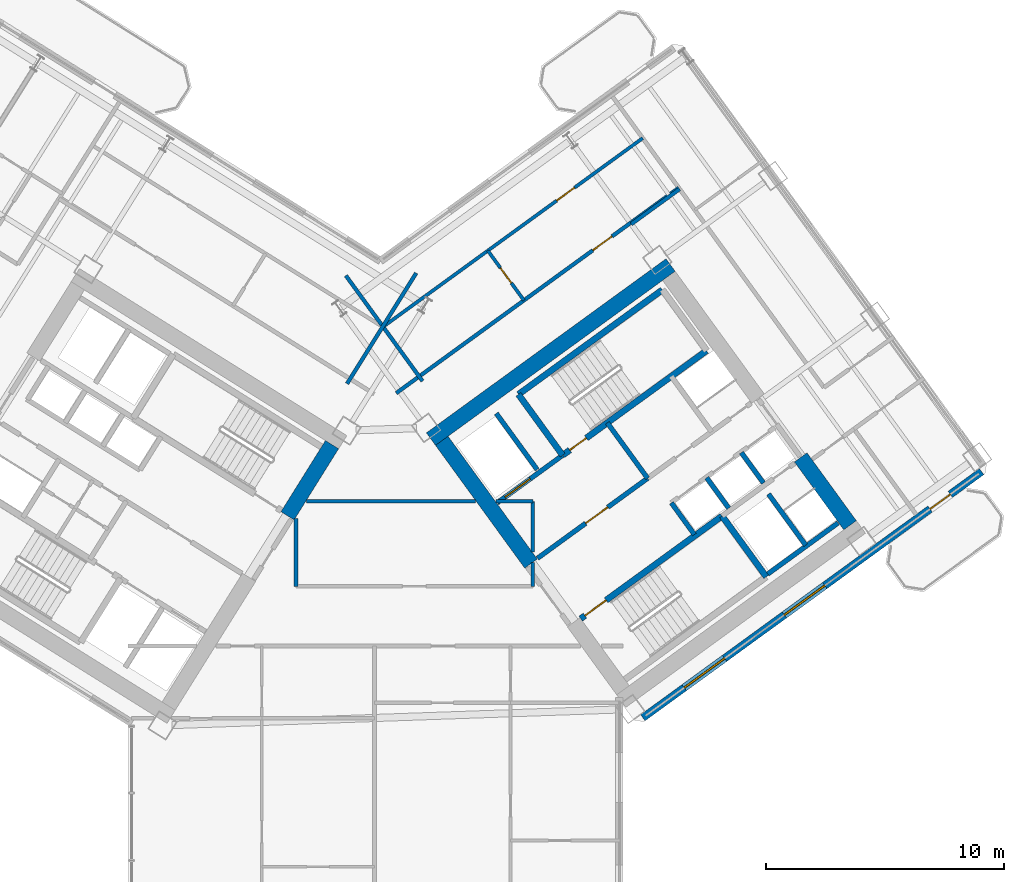
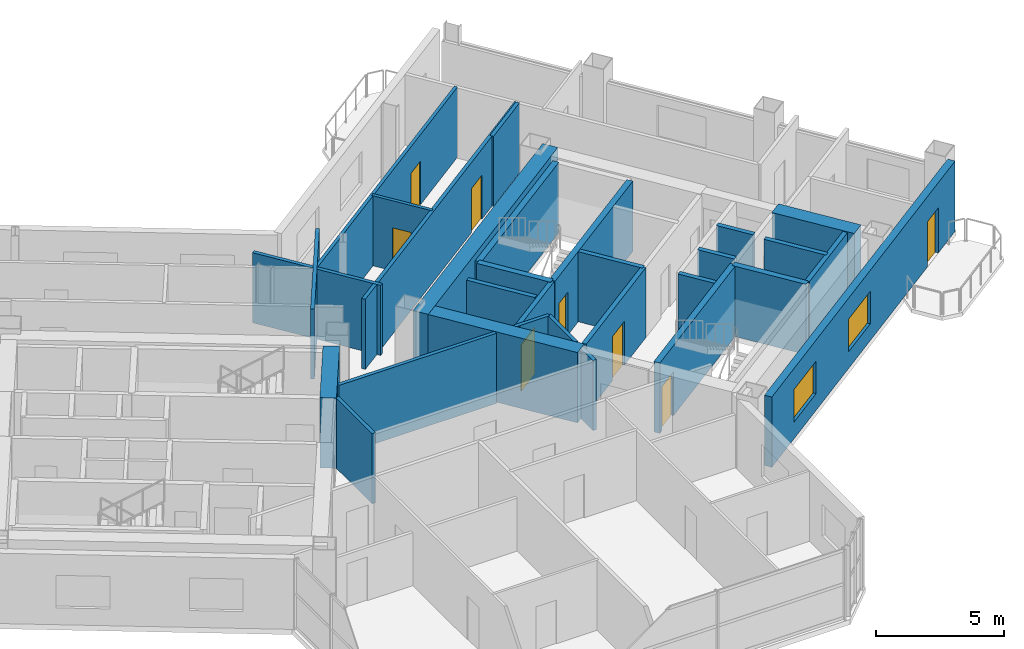
# One storey, part 14 of 21: 30 walls, 8 doors, 2 windows, 10 openings.
"""IFC4 building model written with IfcOpenShell, lengths in metres."""

from ifc_helpers import new_model, si_unit, direction, frame, frame_2d, origin, place, context, subcontext, project, spatial, rectangle, extrude, source, transform, mapped, material, layer, layer_set, type_object, element, fill, save


model = new_model("IFC4")

# Units and contexts
model_context = context("Model", 3, precision=1e-05, world=origin(), true_north=direction((0.0, 1.0)))
body_context = subcontext(model_context, "Body", "Model", "MODEL_VIEW")
ifc_project = project(units=[si_unit("LENGTHUNIT", "METRE"), si_unit("AREAUNIT", "SQUARE_METRE"), si_unit("VOLUMEUNIT", "CUBIC_METRE"), si_unit("PLANEANGLEUNIT", "RADIAN"), si_unit("MASSUNIT", "GRAM", prefix="KILO")], contexts=[model_context])

# Site, building, storey
site_placement = place(None, origin())
site = spatial("IfcSite", under=ifc_project, at=site_placement, CompositionType="ELEMENT")
building_placement = place(site_placement, origin())
building = spatial("IfcBuilding", under=site, at=building_placement, Name="Tlacorven Tower", CompositionType="ELEMENT")
storey_placement = place(building_placement, frame((0.0, 0.0, 90.0)))
storey = spatial("IfcBuildingStorey", under=building, at=storey_placement, Name="L22", CompositionType="ELEMENT", Elevation=90.0)

# Walls
ifc_material_1 = material(Name="Concrete C60/75", Category="concrete")
ifc_layer_1 = layer(ifc_material_1, 0.64990234375)
ifc_layer_set_1 = layer_set([ifc_layer_1], Name="Concrete C60/75")
wall_type_1 = type_object("IfcWallType", Name="WL-COR-650", PredefinedType="SHEAR", material=ifc_layer_set_1)
wall_1_placement = place(storey_placement, frame((40.167724609375, 23.880126953125, 0.0), z_axis=(0.0, 0.0, 1.0), x_axis=(-0.529893103397, -0.8480644427, 0.0)))
element("IfcWall", 1, at=wall_1_placement, inside=storey, type_object=wall_type_1, Name="L22 W core end wall E1.1", PredefinedType="SHEAR", context=body_context, shape_type="SweptSolid", body=[
    extrude(rectangle(XDim=3.525146484375, YDim=0.64990234375, at=frame_2d((1.7626953125, 0.0))), origin(), (0.0, 0.0, 1.0), 3.35009765625),
])
wall_2_placement = place(storey_placement, frame((44.32470703125, 24.113037109375, 0.0), z_axis=(0.0, 0.0, 1.0), x_axis=(0.809012664862, 0.58779121131, 0.0)))
element("IfcWall", 2, at=wall_2_placement, inside=storey, type_object=wall_type_1, Name="L22 E core shear wall S2", PredefinedType="SHEAR", context=body_context, shape_type="SweptSolid", body=[
    extrude(rectangle(XDim=12.439697265625, YDim=0.64990234375, at=frame_2d((6.2197265625, 0.0))), origin(), (0.0, 0.0, 1.0), 3.35009765625),
])
wall_3_placement = place(storey_placement, frame((48.525634765625, 18.883544921875, 0.0), z_axis=(0.0, 0.0, 1.0), x_axis=(-0.58777996584, 0.809020835181, 0.0)))
element("IfcWall", 3, at=wall_3_placement, inside=storey, type_object=wall_type_1, Name="L22 E core end wall E1.2", PredefinedType="SHEAR", context=body_context, shape_type="SweptSolid", body=[
    extrude(rectangle(XDim=6.375, YDim=0.64990234375, at=frame_2d((3.1875, 0.0))), origin(), (0.0, 0.0, 1.0), 3.35009765625),
])
wall_4_placement = place(storey_placement, frame((61.9287109375, 20.494384765625, 0.0), z_axis=(0.0, 0.0, 1.0), x_axis=(-0.58782982593, 0.808984607855, 0.0)))
element("IfcWall", 4, at=wall_4_placement, inside=storey, type_object=wall_type_1, Name="L22 E core end wall E2.1", PredefinedType="SHEAR", context=body_context, shape_type="SweptSolid", body=[
    extrude(rectangle(XDim=3.52490234375, YDim=0.64990234375, at=frame_2d((1.762451171875, 0.0))), origin(), (0.0, 0.0, 1.0), 3.35009765625),
])
ifc_material_2 = material(Name="Gypsum plasterboard acoustic partition", Category="gypsum")
ifc_layer_2 = layer(ifc_material_2, 0.159912109375)
ifc_layer_set_2 = layer_set([ifc_layer_2], Name="Gypsum plasterboard acoustic partition")
wall_type_2 = type_object("IfcWallType", Name="WL-DEM-160", PredefinedType="PARTITIONING", material=ifc_layer_set_2)
wall_5_placement = place(storey_placement, frame((43.70361328125, 31.086181640625, 0.0), z_axis=(0.0, 0.0, 1.0), x_axis=(-0.529906828443, -0.848055866774, 0.0)))
element("IfcWall", 5, at=wall_5_placement, inside=storey, type_object=wall_type_2, Name="L22 WC West Throat Wall", PredefinedType="PARTITIONING", context=body_context, shape_type="SweptSolid", body=[
    extrude(rectangle(XDim=5.479736328125, YDim=0.159912109375, at=frame_2d((2.73974609375, 0.0))), origin(), (0.0, 0.0, 1.0), 3.340087890625),
])
wall_6_placement = place(storey_placement, frame((38.64990234375, 17.929931640625, 0.0), z_axis=(0.0, 0.0, 1.0), x_axis=(0.0, 1.0, 0.0)))
element("IfcWall", 6, at=wall_6_placement, inside=storey, type_object=wall_type_2, Name="L22 partition 86", PredefinedType="PARTITIONING", context=body_context, shape_type="SweptSolid", body=[
    extrude(rectangle(XDim=2.85693359375, YDim=0.159912109375, at=frame_2d((1.428466796875, 0.0))), origin(), (0.0, 0.0, 1.0), 3.340087890625),
])
wall_7_placement = place(storey_placement, frame((48.60009765625, 17.929931640625, 0.0), z_axis=(0.0, 0.0, 1.0), x_axis=(0.0, 1.0, 0.0)))
element("IfcWall", 7, at=wall_7_placement, inside=storey, type_object=wall_type_2, Name="L22 partition 87", PredefinedType="PARTITIONING", context=body_context, shape_type="SweptSolid", body=[
    extrude(rectangle(XDim=0.99267578125, YDim=0.159912109375, at=frame_2d((0.496337890625, 0.0))), origin(), (0.0, 0.0, 1.0), 3.340087890625),
])
wall_8_placement = place(storey_placement, frame((48.60009765625, 19.380126953125, 0.0), z_axis=(0.0, 0.0, 1.0), x_axis=(0.0, 1.0, 0.0)))
element("IfcWall", 8, at=wall_8_placement, inside=storey, type_object=wall_type_2, Name="L22 partition 87", PredefinedType="PARTITIONING", context=body_context, shape_type="SweptSolid", body=[
    extrude(rectangle(XDim=2.119873046875, YDim=0.159912109375, at=frame_2d((1.06005859375, 0.0))), origin(), (0.0, 0.0, 1.0), 3.340087890625),
])
wall_9_placement = place(storey_placement, frame((39.095458984375, 21.5, 0.0), z_axis=(0.0, 0.0, 1.0), x_axis=(1.0, 0.0, 0.0)))
element("IfcWall", 9, at=wall_9_placement, inside=storey, type_object=wall_type_2, Name="L22 partition 88", PredefinedType="PARTITIONING", context=body_context, shape_type="SweptSolid", body=[
    extrude(rectangle(XDim=7.09423828125, YDim=0.159912109375, at=frame_2d((3.547119140625, 0.0))), origin(), (0.0, 0.0, 1.0), 3.340087890625),
])
wall_10_placement = place(storey_placement, frame((47.059814453125, 21.5, 0.0), z_axis=(0.0, 0.0, 1.0), x_axis=(1.0, 0.0, 0.0)))
element("IfcWall", 10, at=wall_10_placement, inside=storey, type_object=wall_type_2, Name="L22 partition 88", PredefinedType="PARTITIONING", context=body_context, shape_type="SweptSolid", body=[
    extrude(rectangle(XDim=1.540283203125, YDim=0.159912109375, at=frame_2d((0.77001953125, 0.0))), origin(), (0.0, 0.0, 1.0), 3.340087890625),
])
wall_11_placement = place(storey_placement, frame((52.73876953125, 33.143310546875, 0.0), z_axis=(0.0, 0.0, 1.0), x_axis=(0.809000999347, 0.58780726693, 0.0)))
element("IfcWall", 11, at=wall_11_placement, inside=storey, type_object=wall_type_2, Name="L22 partition 101", PredefinedType="PARTITIONING", context=body_context, shape_type="SweptSolid", body=[
    extrude(rectangle(XDim=2.510009765625, YDim=0.159912109375, at=frame_2d((1.2548828125, 0.0))), origin(), (0.0, 0.0, 1.0), 3.340087890625),
])

# Wall, opening, door
wall_12_placement = place(storey_placement, frame((42.86572265625, 26.04443359375, 0.0), z_axis=(0.0, 0.0, 1.0), x_axis=(0.809020254154, 0.587780765566, 0.0)))
wall_12 = element("IfcWall", 12, at=wall_12_placement, inside=storey, type_object=wall_type_2, Name="L22 partition 108", PredefinedType="PARTITIONING", context=body_context, shape_type="SweptSolid", body=[
    extrude(rectangle(XDim=14.670166015625, YDim=0.159912109375, at=frame_2d((7.3349609375, 0.0))), origin(), (0.0, 0.0, 1.0), 3.340087890625),
])
opening_1_placement = place(wall_12_placement, frame((10.199951171875, 0.0, 0.0)))
opening_1 = element("IfcOpeningElement", 13, at=opening_1_placement, cuts=wall_12, Name="Opening D11", PredefinedType="OPENING", context=body_context, shape_type="SweptSolid", body=[
    extrude(rectangle(XDim=1.0, YDim=2.10009765625, at=frame_2d((0.5, 1.050048828125))), frame((0.0, 0.08984375, 0.0), z_axis=(0.0, -1.0, 0.0), x_axis=(1.0, 0.0, 0.0)), (0.0, 0.0, 1.0), 0.179931640625),
])
ifc_material_3 = material(Name="Fire-rated steel door assembly", Category="steel")
door_type_1 = type_object("IfcDoorType", Name="DR-FLT-FD60-1000", OperationType="NOTDEFINED", PredefinedType="DOOR", material=ifc_material_3)
shared_shape_1 = source(origin(), body_context, "Body", "SweptSolid", [
    extrude(rectangle(XDim=1.0, YDim=2.10009765625, at=frame_2d((0.5, 1.050048828125))), frame((0.0, 0.02490234375, 0.0), z_axis=(0.0, -1.0, 0.0), x_axis=(1.0, 0.0, 0.0)), (0.0, 0.0, 1.0), 0.050048828125),
])
door_1_placement = place(opening_1_placement, origin())
door_1 = element("IfcDoor", 14, at=door_1_placement, inside=storey, type_object=door_type_1, Name="L22 door 069", OperationType="SINGLE_SWING_LEFT", OverallHeight=2.10009765625, OverallWidth=1.0, PredefinedType="DOOR", context=body_context, shape_type="MappedRepresentation", body=[
    mapped(shared_shape_1, transform((0.0, 0.0, 0.0), scale=1.0)),
])
fill(opening_1, door_1)

# Wall
wall_13_placement = place(storey_placement, frame((43.969482421875, 26.549560546875, 0.0), z_axis=(0.0, 0.0, 1.0), x_axis=(-0.587776919386, 0.80902304852, 0.0)))
element("IfcWall", 15, at=wall_13_placement, inside=storey, type_object=wall_type_2, Name="L22 EC West Throat Wall", PredefinedType="PARTITIONING", context=body_context, shape_type="SweptSolid", body=[
    extrude(rectangle(XDim=5.47998046875, YDim=0.159912109375, at=frame_2d((2.739990234375, 0.0))), origin(), (0.0, 0.0, 1.0), 3.340087890625),
])

# Wall, openings, door, windows
ifc_material_4 = material(Name="Precast concrete C45/55", Category="concrete")
ifc_layer_3 = layer(ifc_material_4, 0.320068359375)
ifc_layer_set_3 = layer_set([ifc_layer_3], Name="Precast concrete C45/55")
wall_type_3 = type_object("IfcWallType", Name="WL-EXT-320", PredefinedType="STANDARD", material=ifc_layer_set_3)
wall_14_placement = place(storey_placement, frame((67.45361328125, 22.746826171875, 0.0), z_axis=(0.0, 0.0, 1.0), x_axis=(-0.809021120468, -0.587779573171, 0.0)))
wall_14 = element("IfcWall", 16, at=wall_14_placement, inside=storey, type_object=wall_type_3, Name="L22 Masonry-Frame Recessed Facade Wall 6", PredefinedType="STANDARD", context=body_context, shape_type="SweptSolid", body=[
    extrude(rectangle(XDim=17.587646484375, YDim=0.320068359375, at=frame_2d((8.7939453125, 0.0))), origin(), (0.0, 0.0, 1.0), 3.35009765625),
])
opening_2_placement = place(wall_14_placement, frame((1.623779296875, 0.0, 0.0)))
opening_2 = element("IfcOpeningElement", 17, at=opening_2_placement, cuts=wall_14, Name="Opening D06", PredefinedType="OPENING", context=body_context, shape_type="SweptSolid", body=[
    extrude(rectangle(XDim=1.050048828125, YDim=2.14990234375, at=frame_2d((0.52490234375, 1.074951171875))), frame((0.0, 0.169921875, 0.0), z_axis=(0.0, -1.0, 0.0), x_axis=(1.0, 0.0, 0.0)), (0.0, 0.0, 1.0), 0.340087890625),
])
opening_3_placement = place(wall_14_placement, frame((8.143798828125, 0.0, 0.800048828125)))
opening_3 = element("IfcOpeningElement", 18, at=opening_3_placement, cuts=wall_14, Name="Opening WN04", PredefinedType="OPENING", context=body_context, shape_type="SweptSolid", body=[
    extrude(rectangle(XDim=2.10009765625, YDim=1.550048828125, at=frame_2d((1.050048828125, 0.77490234375))), frame((0.0, 0.169921875, 0.0), z_axis=(0.0, -1.0, 0.0), x_axis=(1.0, 0.0, 0.0)), (0.0, 0.0, 1.0), 0.340087890625),
])
opening_4_placement = place(wall_14_placement, frame((13.34375, 0.0, 0.800048828125)))
opening_4 = element("IfcOpeningElement", 19, at=opening_4_placement, cuts=wall_14, Name="Opening WN04", PredefinedType="OPENING", context=body_context, shape_type="SweptSolid", body=[
    extrude(rectangle(XDim=2.10009765625, YDim=1.550048828125, at=frame_2d((1.050048828125, 0.77490234375))), frame((0.0, 0.169921875, 0.0), z_axis=(0.0, -1.0, 0.0), x_axis=(1.0, 0.0, 0.0)), (0.0, 0.0, 1.0), 0.340087890625),
])
ifc_material_5 = material(Name="Powder-coated aluminium and timber door", Category="wood")
door_type_2 = type_object("IfcDoorType", Name="DR-EXT-BALC-1050", OperationType="NOTDEFINED", PredefinedType="DOOR", material=ifc_material_5)
shared_shape_2 = source(origin(), body_context, "Body", "SweptSolid", [
    extrude(rectangle(XDim=1.050048828125, YDim=2.14990234375, at=frame_2d((0.52490234375, 1.074951171875))), frame((0.0, 0.02490234375, 0.0), z_axis=(0.0, -1.0, 0.0), x_axis=(1.0, 0.0, 0.0)), (0.0, 0.0, 1.0), 0.050048828125),
])
door_2_placement = place(opening_2_placement, origin())
door_2 = element("IfcDoor", 20, at=door_2_placement, inside=storey, type_object=door_type_2, Name="L22 Outdoor Access Door BAL-L22-E-OUT", OperationType="SINGLE_SWING_LEFT", OverallHeight=2.14990234375, OverallWidth=1.050048828125, PredefinedType="DOOR", context=body_context, shape_type="MappedRepresentation", body=[
    mapped(shared_shape_2, transform((0.0, 0.0, 0.0), scale=1.0)),
])
fill(opening_2, door_2)
ifc_material_6 = material(Name="Dark solar low-E double glazing in anodised aluminium frame", Category="aluminium")
window_type = type_object("IfcWindowType", Name="WN-APT-2100X1750", PartitioningType="SINGLE_PANEL", PredefinedType="WINDOW", material=ifc_material_6)
shared_shape_3 = source(origin(), body_context, "Body", "SweptSolid", [
    extrude(rectangle(XDim=2.10009765625, YDim=1.550048828125, at=frame_2d((1.050048828125, 0.77490234375))), frame((0.0, 0.030029296875, 0.0), z_axis=(0.0, -1.0, 0.0), x_axis=(1.0, 0.0, 0.0)), (0.0, 0.0, 1.0), 0.06005859375),
])
window_1_placement = place(opening_3_placement, origin())
window_1 = element("IfcWindow", 21, at=window_1_placement, inside=storey, type_object=window_type, Name="L22 Recessed Masonry-Frame Window L22-06.1", OverallHeight=1.550048828125, OverallWidth=2.10009765625, PartitioningType="SINGLE_PANEL", PredefinedType="WINDOW", context=body_context, shape_type="MappedRepresentation", body=[
    mapped(shared_shape_3, transform((0.0, 0.0, 0.0), scale=1.0)),
])
fill(opening_3, window_1)
window_2_placement = place(opening_4_placement, origin())
window_2 = element("IfcWindow", 22, at=window_2_placement, inside=storey, type_object=window_type, Name="L22 Recessed Masonry-Frame Window L22-06.2", OverallHeight=1.550048828125, OverallWidth=2.10009765625, PartitioningType="SINGLE_PANEL", PredefinedType="WINDOW", context=body_context, shape_type="MappedRepresentation", body=[
    mapped(shared_shape_3, transform((0.0, 0.0, 0.0), scale=1.0)),
])
fill(opening_4, window_2)

# Wall, opening, door
ifc_material_7 = material(Name="Moisture-resistant gypsum plumbing wall", Category="gypsum")
ifc_layer_4 = layer(ifc_material_7, 0.139892578125)
ifc_layer_set_4 = layer_set([ifc_layer_4], Name="Moisture-resistant gypsum plumbing wall")
wall_type_4 = type_object("IfcWallType", Name="WL-PLM-140", PredefinedType="PLUMBINGWALL", material=ifc_layer_set_4)
wall_15_placement = place(storey_placement, frame((42.376708984375, 28.878173828125, 0.0), z_axis=(0.0, 0.0, 1.0), x_axis=(0.809020411523, 0.587780548963, 0.0)))
wall_15 = element("IfcWall", 23, at=wall_15_placement, inside=storey, type_object=wall_type_4, Name="L22 partition 110", PredefinedType="PLUMBINGWALL", context=body_context, shape_type="SweptSolid", body=[
    extrude(rectangle(XDim=13.39990234375, YDim=0.139892578125, at=frame_2d((6.699951171875, 0.0))), origin(), (0.0, 0.0, 1.0), 3.340087890625),
])
opening_5_placement = place(wall_15_placement, frame((8.93994140625, 0.0, 0.0)))
opening_5 = element("IfcOpeningElement", 24, at=opening_5_placement, cuts=wall_15, Name="Opening D12", PredefinedType="OPENING", context=body_context, shape_type="SweptSolid", body=[
    extrude(rectangle(XDim=0.919921875, YDim=2.080078125, at=frame_2d((0.4599609375, 1.0400390625))), frame((0.0, 0.080078125, 0.0), z_axis=(0.0, -1.0, 0.0), x_axis=(1.0, 0.0, 0.0)), (0.0, 0.0, 1.0), 0.159912109375),
])
door_type_3 = type_object("IfcDoorType", Name="DR-INT-ROOM-0920", OperationType="NOTDEFINED", PredefinedType="DOOR", material=ifc_material_5)
shared_shape_4 = source(origin(), body_context, "Body", "SweptSolid", [
    extrude(rectangle(XDim=0.919921875, YDim=2.080078125, at=frame_2d((0.4599609375, 1.0400390625))), frame((0.0, 0.02490234375, 0.0), z_axis=(0.0, -1.0, 0.0), x_axis=(1.0, 0.0, 0.0)), (0.0, 0.0, 1.0), 0.050048828125),
])
door_3_placement = place(opening_5_placement, origin())
door_3 = element("IfcDoor", 25, at=door_3_placement, inside=storey, type_object=door_type_3, Name="L22 door 070", OperationType="SINGLE_SWING_RIGHT", OverallHeight=2.080078125, OverallWidth=0.919921875, PredefinedType="DOOR", context=body_context, shape_type="MappedRepresentation", body=[
    mapped(shared_shape_4, transform((0.0, 0.0, 0.0), scale=1.0)),
])
fill(opening_5, door_3)

wall_16_placement = place(storey_placement, frame((48.2294921875, 29.94140625, 0.0), z_axis=(0.0, 0.0, 1.0), x_axis=(-0.587772116736, 0.809026537752, 0.0)))
wall_16 = element("IfcWall", 26, at=wall_16_placement, inside=storey, type_object=wall_type_4, Name="L22 partition 111", PredefinedType="PLUMBINGWALL", context=body_context, shape_type="SweptSolid", body=[
    extrude(rectangle(XDim=2.579833984375, YDim=0.139892578125, at=frame_2d((1.2900390625, 0.0))), origin(), (0.0, 0.0, 1.0), 3.340087890625),
])
opening_6_placement = place(wall_16_placement, frame((0.89990234375, 0.0, 0.0)))
opening_6 = element("IfcOpeningElement", 27, at=opening_6_placement, cuts=wall_16, Name="Opening D22", PredefinedType="OPENING", context=body_context, shape_type="SweptSolid", body=[
    extrude(rectangle(XDim=0.780029296875, YDim=2.050048828125, at=frame_2d((0.39013671875, 1.02490234375))), frame((0.0, 0.080078125, 0.0), z_axis=(0.0, -1.0, 0.0), x_axis=(1.0, 0.0, 0.0)), (0.0, 0.0, 1.0), 0.159912109375),
])
door_type_4 = type_object("IfcDoorType", Name="DR-INT-WET-0780", OperationType="NOTDEFINED", PredefinedType="DOOR", material=ifc_material_5)
shared_shape_5 = source(origin(), body_context, "Body", "SweptSolid", [
    extrude(rectangle(XDim=0.780029296875, YDim=2.050048828125, at=frame_2d((0.39013671875, 1.02490234375))), frame((0.0, 0.02490234375, 0.0), z_axis=(0.0, -1.0, 0.0), x_axis=(1.0, 0.0, 0.0)), (0.0, 0.0, 1.0), 0.050048828125),
])
door_4_placement = place(opening_6_placement, origin())
door_4 = element("IfcDoor", 28, at=door_4_placement, inside=storey, type_object=door_type_4, Name="L22 door 071", OperationType="SINGLE_SWING_LEFT", OverallHeight=2.050048828125, OverallWidth=0.780029296875, PredefinedType="DOOR", context=body_context, shape_type="MappedRepresentation", body=[
    mapped(shared_shape_5, transform((0.0, 0.0, 0.0), scale=1.0)),
])
fill(opening_6, door_4)

ifc_material_8 = material(Name="Concrete C40/50", Category="concrete")
ifc_layer_5 = layer(ifc_material_8, 0.199951171875)
ifc_layer_set_5 = layer_set([ifc_layer_5], Name="Concrete C40/50")
wall_type_5 = type_object("IfcWallType", Name="WL-SHF-200", PredefinedType="STANDARD", material=ifc_layer_set_5)
wall_17_placement = place(storey_placement, frame((47.10595703125, 21.4365234375, 0.0), z_axis=(0.0, 0.0, 1.0), x_axis=(0.809012514015, 0.58779141893, 0.0)))
wall_17 = element("IfcWall", 29, at=wall_17_placement, inside=storey, type_object=wall_type_5, Name="L22 Core E Firefighting Lift Shaft Front Wall", PredefinedType="STANDARD", context=body_context, shape_type="SweptSolid", body=[
    extrude(rectangle(XDim=3.39794921875, YDim=0.199951171875, at=frame_2d((1.698974609375, 0.0))), origin(), (0.0, 0.0, 1.0), 3.340087890625),
])
opening_7_placement = place(wall_17_placement, frame((0.407958984375, 0.0, 0.0)))
opening_7 = element("IfcOpeningElement", 30, at=opening_7_placement, cuts=wall_17, Name="Opening LD03", PredefinedType="OPENING", context=body_context, shape_type="SweptSolid", body=[
    extrude(rectangle(XDim=1.300048828125, YDim=2.199951171875, at=frame_2d((0.64990234375, 1.10009765625))), frame((0.0, 0.10986328125, 0.0), z_axis=(0.0, -1.0, 0.0), x_axis=(1.0, 0.0, 0.0)), (0.0, 0.0, 1.0), 0.219970703125),
])
door_type_5 = type_object("IfcDoorType", Name="DR-LFT-SLID-1300", OperationType="DOUBLE_DOOR_SLIDING", PredefinedType="DOOR", material=ifc_material_3)
shared_shape_6 = source(origin(), body_context, "Body", "SweptSolid", [
    extrude(rectangle(XDim=1.300048828125, YDim=2.199951171875, at=frame_2d((0.64990234375, 1.10009765625))), frame((0.0, 0.02490234375, 0.0), z_axis=(0.0, -1.0, 0.0), x_axis=(1.0, 0.0, 0.0)), (0.0, 0.0, 1.0), 0.050048828125),
])
door_5_placement = place(opening_7_placement, origin())
door_5 = element("IfcDoor", 31, at=door_5_placement, inside=storey, type_object=door_type_5, Name="L22 Lift FFL-E1 Sliding Landing Door", OperationType="DOUBLE_DOOR_SLIDING", OverallHeight=2.199951171875, OverallWidth=1.300048828125, PredefinedType="DOOR", context=body_context, shape_type="MappedRepresentation", body=[
    mapped(shared_shape_6, transform((0.0, 0.0, 0.0), scale=1.0)),
])
fill(opening_7, door_5)

wall_18_placement = place(storey_placement, frame((48.798828125, 19.106689453125, 0.0), z_axis=(0.0, 0.0, 1.0), x_axis=(0.809012959416, 0.587790805897, 0.0)))
wall_18 = element("IfcWall", 32, at=wall_18_placement, inside=storey, type_object=wall_type_5, Name="L22 Core E Smoke Lobby Wall", PredefinedType="STANDARD", context=body_context, shape_type="SweptSolid", body=[
    extrude(rectangle(XDim=5.7177734375, YDim=0.199951171875, at=frame_2d((2.85888671875, 0.0))), origin(), (0.0, 0.0, 1.0), 3.340087890625),
])
opening_8_placement = place(wall_18_placement, frame((2.498046875, 0.0, 0.0)))
opening_8 = element("IfcOpeningElement", 33, at=opening_8_placement, cuts=wall_18, Name="Opening D09", PredefinedType="OPENING", context=body_context, shape_type="SweptSolid", body=[
    extrude(rectangle(XDim=1.14990234375, YDim=2.10009765625, at=frame_2d((0.574951171875, 1.050048828125))), frame((0.0, 0.10986328125, 0.0), z_axis=(0.0, -1.0, 0.0), x_axis=(1.0, 0.0, 0.0)), (0.0, 0.0, 1.0), 0.219970703125),
])
door_type_6 = type_object("IfcDoorType", Name="DR-FFL-FD60-1150", OperationType="NOTDEFINED", PredefinedType="DOOR", material=ifc_material_3)
shared_shape_7 = source(origin(), body_context, "Body", "SweptSolid", [
    extrude(rectangle(XDim=1.14990234375, YDim=2.10009765625, at=frame_2d((0.574951171875, 1.050048828125))), frame((0.0, 0.02490234375, 0.0), z_axis=(0.0, -1.0, 0.0), x_axis=(1.0, 0.0, 0.0)), (0.0, 0.0, 1.0), 0.050048828125),
])
door_6_placement = place(opening_8_placement, origin())
door_6 = element("IfcDoor", 34, at=door_6_placement, inside=storey, type_object=door_type_6, Name="L22 Firefighting Lobby E Fire Door", OperationType="SINGLE_SWING_RIGHT", OverallHeight=2.10009765625, OverallWidth=1.14990234375, PredefinedType="DOOR", context=body_context, shape_type="MappedRepresentation", body=[
    mapped(shared_shape_7, transform((0.0, 0.0, 0.0), scale=1.0)),
])
fill(opening_8, door_6)

# Walls
wall_19_placement = place(storey_placement, frame((55.390869140625, 20.1015625, 0.0), z_axis=(0.0, 0.0, 1.0), x_axis=(-0.58778447739, 0.809017557374, 0.0)))
element("IfcWall", 35, at=wall_19_placement, inside=storey, type_object=wall_type_5, Name="L22 partition 37", PredefinedType="STANDARD", context=body_context, shape_type="SweptSolid", body=[
    extrude(rectangle(XDim=1.64990234375, YDim=0.199951171875, at=frame_2d((0.824951171875, 0.0))), origin(), (0.0, 0.0, 1.0), 3.340087890625),
])
wall_20_placement = place(storey_placement, frame((48.78564453125, 22.830078125, 0.0), z_axis=(0.0, 0.0, 1.0), x_axis=(-0.587783856777, 0.809018008275, 0.0)))
element("IfcWall", 36, at=wall_20_placement, inside=storey, type_object=wall_type_5, Name="L22 partition 38", PredefinedType="STANDARD", context=body_context, shape_type="SweptSolid", body=[
    extrude(rectangle(XDim=2.919921875, YDim=0.199951171875, at=frame_2d((1.4599609375, 0.0))), origin(), (0.0, 0.0, 1.0), 3.340087890625),
])
wall_21_placement = place(storey_placement, frame((56.833984375, 21.211669921875, 0.0), z_axis=(0.0, 0.0, 1.0), x_axis=(-0.58776738483, 0.809029975545, 0.0)))
element("IfcWall", 37, at=wall_21_placement, inside=storey, type_object=wall_type_5, Name="L22 partition 39", PredefinedType="STANDARD", context=body_context, shape_type="SweptSolid", body=[
    extrude(rectangle(XDim=1.580078125, YDim=0.199951171875, at=frame_2d((0.7900390625, 0.0))), origin(), (0.0, 0.0, 1.0), 3.340087890625),
])
wall_22_placement = place(storey_placement, frame((58.290283203125, 22.269775390625, 0.0), z_axis=(0.0, 0.0, 1.0), x_axis=(-0.587840865826, 0.808976585857, 0.0)))
element("IfcWall", 38, at=wall_22_placement, inside=storey, type_object=wall_type_5, Name="L22 partition 40", PredefinedType="STANDARD", context=body_context, shape_type="SweptSolid", body=[
    extrude(rectangle(XDim=1.579833984375, YDim=0.199951171875, at=frame_2d((0.7900390625, 0.0))), origin(), (0.0, 0.0, 1.0), 3.340087890625),
])
wall_23_placement = place(storey_placement, frame((60.066650390625, 19.654541015625, 0.0), z_axis=(0.0, 0.0, 1.0), x_axis=(-0.587800520745, 0.809005900975, 0.0)))
element("IfcWall", 39, at=wall_23_placement, inside=storey, type_object=wall_type_5, Name="L22 partition 41", PredefinedType="STANDARD", context=body_context, shape_type="SweptSolid", body=[
    extrude(rectangle(XDim=2.659912109375, YDim=0.199951171875, at=frame_2d((1.330078125, 0.0))), origin(), (0.0, 0.0, 1.0), 3.340087890625),
])
wall_24_placement = place(storey_placement, frame((58.47216796875, 18.446533203125, 0.0), z_axis=(0.0, 0.0, 1.0), x_axis=(0.809022487728, 0.587777691266, 0.0)))
element("IfcWall", 40, at=wall_24_placement, inside=storey, type_object=wall_type_5, Name="L22 partition 43", PredefinedType="STANDARD", context=body_context, shape_type="SweptSolid", body=[
    extrude(rectangle(XDim=3.648193359375, YDim=0.199951171875, at=frame_2d((1.82421875, 0.0))), origin(), (0.0, 0.0, 1.0), 3.340087890625),
])
wall_25_placement = place(storey_placement, frame((53.424560546875, 22.467529296875, 0.0), z_axis=(0.0, 0.0, 1.0), x_axis=(-0.5877230039, 0.809062216821, 0.0)))
element("IfcWall", 41, at=wall_25_placement, inside=storey, type_object=wall_type_5, Name="L22 partition 45", PredefinedType="STANDARD", context=body_context, shape_type="SweptSolid", body=[
    extrude(rectangle(XDim=2.8798828125, YDim=0.199951171875, at=frame_2d((1.43994140625, 0.0))), origin(), (0.0, 0.0, 1.0), 3.340087890625),
])
ifc_material_9 = material(Name="Concrete C50/60", Category="concrete")
ifc_layer_6 = layer(ifc_material_9, 0.260009765625)
ifc_layer_set_6 = layer_set([ifc_layer_6], Name="Concrete C50/60")
wall_type_6 = type_object("IfcWallType", Name="WL-STW-260", PredefinedType="SHEAR", material=ifc_layer_set_6)
wall_26_placement = place(storey_placement, frame((48.005615234375, 25.996337890625, 0.0), z_axis=(0.0, 0.0, 1.0), x_axis=(0.80901903764, 0.587782439969, 0.0)))
element("IfcWall", 42, at=wall_26_placement, inside=storey, type_object=wall_type_6, Name="L22 Stair E1 Far Shear Wall", PredefinedType="SHEAR", context=body_context, shape_type="SweptSolid", body=[
    extrude(rectangle(XDim=7.4599609375, YDim=0.260009765625, at=frame_2d((3.72998046875, 0.0))), origin(), (0.0, 0.0, 1.0), 3.35009765625),
])

# Wall, opening, door
wall_27_placement = place(storey_placement, frame((49.863037109375, 23.439697265625, 0.0), z_axis=(0.0, 0.0, 1.0), x_axis=(0.809003474932, 0.587803859759, 0.0)))
wall_27 = element("IfcWall", 43, at=wall_27_placement, inside=storey, type_object=wall_type_6, Name="L22 Stair E1 Lobby Shear Wall", PredefinedType="SHEAR", context=body_context, shape_type="SweptSolid", body=[
    extrude(rectangle(XDim=7.4599609375, YDim=0.260009765625, at=frame_2d((3.72998046875, 0.0))), origin(), (0.0, 0.0, 1.0), 3.35009765625),
])
opening_9_placement = place(wall_27_placement, frame((0.360107421875, 0.0, 0.0)))
opening_9 = element("IfcOpeningElement", 44, at=opening_9_placement, cuts=wall_27, Name="Opening D19", PredefinedType="OPENING", context=body_context, shape_type="SweptSolid", body=[
    extrude(rectangle(XDim=0.860107421875, YDim=2.050048828125, at=frame_2d((0.43017578125, 1.02490234375))), frame((0.0, 0.14013671875, 0.0), z_axis=(0.0, -1.0, 0.0), x_axis=(1.0, 0.0, 0.0)), (0.0, 0.0, 1.0), 0.280029296875),
])
door_type_7 = type_object("IfcDoorType", Name="DR-RSR-FD60-0860", OperationType="NOTDEFINED", PredefinedType="DOOR", material=ifc_material_3)
shared_shape_8 = source(origin(), body_context, "Body", "SweptSolid", [
    extrude(rectangle(XDim=0.860107421875, YDim=2.050048828125, at=frame_2d((0.43017578125, 1.02490234375))), frame((0.0, 0.02490234375, 0.0), z_axis=(0.0, -1.0, 0.0), x_axis=(1.0, 0.0, 0.0)), (0.0, 0.0, 1.0), 0.050048828125),
])
door_7_placement = place(opening_9_placement, frame((0.860107421875, 0.0, 0.0), z_axis=(0.0, 0.0, 1.0), x_axis=(-1.0, 0.0, 0.0)))
door_7 = element("IfcDoor", 45, at=door_7_placement, inside=storey, type_object=door_type_7, Name="L22 Exit Stair E1 Fire Door", OperationType="SINGLE_SWING_LEFT", OverallHeight=2.050048828125, OverallWidth=0.860107421875, PredefinedType="DOOR", context=body_context, shape_type="MappedRepresentation", body=[
    mapped(shared_shape_8, transform((0.0, 0.0, 0.0), scale=1.0)),
])
fill(opening_9, door_7)

# Wall
wall_28_placement = place(storey_placement, frame((49.85498046875, 23.433837890625, 0.0), z_axis=(0.0, 0.0, 1.0), x_axis=(-0.58776738483, 0.809029975545, 0.0)))
element("IfcWall", 46, at=wall_28_placement, inside=storey, type_object=wall_type_6, Name="L22 Stair E1 West Shear Wall", PredefinedType="SHEAR", context=body_context, shape_type="SweptSolid", body=[
    extrude(rectangle(XDim=3.16015625, YDim=0.260009765625, at=frame_2d((1.580078125, 0.0))), origin(), (0.0, 0.0, 1.0), 3.35009765625),
])

# Wall, opening, door
wall_29_placement = place(storey_placement, frame((50.61474609375, 16.569580078125, 0.0), z_axis=(0.0, 0.0, 1.0), x_axis=(0.809028366311, 0.587769599847, 0.0)))
wall_29 = element("IfcWall", 47, at=wall_29_placement, inside=storey, type_object=wall_type_6, Name="L22 Stair E2 Lobby Shear Wall", PredefinedType="SHEAR", context=body_context, shape_type="SweptSolid", body=[
    extrude(rectangle(XDim=7.330078125, YDim=0.260009765625, at=frame_2d((3.6650390625, 0.0))), origin(), (0.0, 0.0, 1.0), 3.35009765625),
])
opening_10_placement = place(wall_29_placement, frame((0.219970703125, 0.0, 0.0)))
opening_10 = element("IfcOpeningElement", 48, at=opening_10_placement, cuts=wall_29, Name="Opening D07", PredefinedType="OPENING", context=body_context, shape_type="SweptSolid", body=[
    extrude(rectangle(XDim=1.10009765625, YDim=2.10009765625, at=frame_2d((0.550048828125, 1.050048828125))), frame((0.0, 0.14013671875, 0.0), z_axis=(0.0, -1.0, 0.0), x_axis=(1.0, 0.0, 0.0)), (0.0, 0.0, 1.0), 0.280029296875),
])
door_type_8 = type_object("IfcDoorType", Name="DR-STR-FD90-1100", OperationType="NOTDEFINED", PredefinedType="DOOR", material=ifc_material_3)
shared_shape_9 = source(origin(), body_context, "Body", "SweptSolid", [
    extrude(rectangle(XDim=1.10009765625, YDim=2.10009765625, at=frame_2d((0.550048828125, 1.050048828125))), frame((0.0, 0.02490234375, 0.0), z_axis=(0.0, -1.0, 0.0), x_axis=(1.0, 0.0, 0.0)), (0.0, 0.0, 1.0), 0.050048828125),
])
door_8_placement = place(opening_10_placement, origin())
door_8 = element("IfcDoor", 49, at=door_8_placement, inside=storey, type_object=door_type_8, Name="L22 Exit Stair E2 Fire Door", OperationType="SINGLE_SWING_LEFT", OverallHeight=2.10009765625, OverallWidth=1.10009765625, PredefinedType="DOOR", context=body_context, shape_type="MappedRepresentation", body=[
    mapped(shared_shape_9, transform((0.0, 0.0, 0.0), scale=1.0)),
])
fill(opening_10, door_8)

# Wall
wall_30_placement = place(storey_placement, frame((58.410400390625, 18.327392578125, 0.0), z_axis=(0.0, 0.0, 1.0), x_axis=(-0.58776738483, 0.809029975545, 0.0)))
element("IfcWall", 50, at=wall_30_placement, inside=storey, type_object=wall_type_6, Name="L22 Stair E2 East Shear Wall", PredefinedType="SHEAR", context=body_context, shape_type="SweptSolid", body=[
    extrude(rectangle(XDim=3.16015625, YDim=0.260009765625, at=frame_2d((1.580078125, 0.0))), origin(), (0.0, 0.0, 1.0), 3.35009765625),
])

save(model, "model.ifc")
